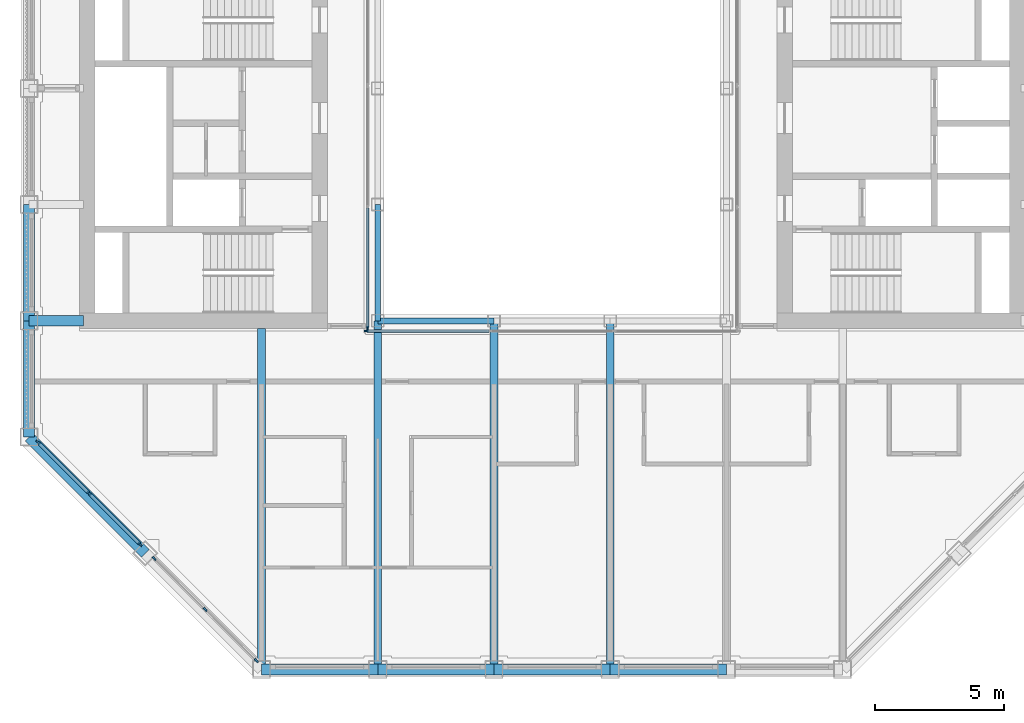
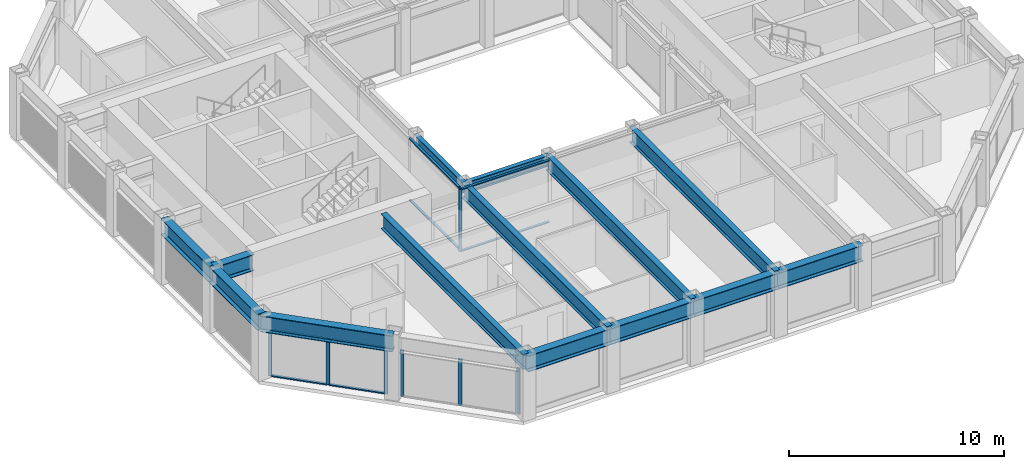
# One storey, part 2 of 18: 16 members, 14 beams, 4 elements without a shape of their own.
"""IFC4 building model written with IfcOpenShell, lengths in metres."""

from ifc_helpers import new_model, si_unit, direction, frame, origin, origin_2d, place, context, subcontext, project, spatial, rectangle, i_section, extrude, material, material_profile, profile_set, type_object, element, aggregate, save


model = new_model("IFC4")

# Units and contexts
model_context = context("Model", 3, precision=1e-05, world=origin(), true_north=direction((0.0, 1.0)))
body_context = subcontext(model_context, "Body", "Model", "MODEL_VIEW")
ifc_project = project(units=[si_unit("LENGTHUNIT", "METRE"), si_unit("AREAUNIT", "SQUARE_METRE"), si_unit("VOLUMEUNIT", "CUBIC_METRE"), si_unit("PLANEANGLEUNIT", "RADIAN"), si_unit("MASSUNIT", "GRAM", prefix="KILO")], contexts=[model_context])

# Site, building, storey
site_placement = place(None, origin())
site = spatial("IfcSite", under=ifc_project, at=site_placement, CompositionType="ELEMENT")
building_placement = place(site_placement, origin())
building = spatial("IfcBuilding", under=site, at=building_placement, Name="Msasa Ring Tower", CompositionType="ELEMENT")
storey_placement = place(building_placement, frame((0.0, 0.0, 223.300048828125)))
storey = spatial("IfcBuildingStorey", under=building, at=storey_placement, Name="L58", CompositionType="ELEMENT", Elevation=223.300048828125)

# Curtain wall, members
ifc_material_1 = material(Name="Aluminium curtain wall with clear glass", Category="aluminium")
curtain_wall_type_1 = type_object("IfcCurtainWallType", Name="CW-C CHAMFER CORNER CURTAIN WALL", PredefinedType="NOTDEFINED", material=ifc_material_1)
curtain_wall_1_placement = place(storey_placement, origin())
curtain_wall_1 = element("IfcCurtainWall", 1, at=curtain_wall_1_placement, inside=storey, type_object=curtain_wall_type_1, Name="Chamfer corner curtain wall SW L58", PredefinedType="NOTDEFINED")
ifc_material_2 = material(Name="Aluminium mullion", Category="aluminium")
ifc_material_profile_1 = material_profile(ifc_material_2, rectangle(XDim=0.06494140625, YDim=0.179931640625, at=origin_2d()), Name="AL 65x180")
ifc_profile_set_1 = profile_set([ifc_material_profile_1], Name="Aluminium mullion")
member_type_1 = type_object("IfcMemberType", Name="CW-C MULLION 65x180", PredefinedType="MULLION", material=ifc_profile_set_1)
member_1_placement = place(storey_placement, frame((-19.9052734375, -11.453369140625, 0.0), z_axis=(0.0, 0.0, 1.0), x_axis=(0.707106781187, 0.707106781187, 0.0)))
member_1 = element("IfcMember", 2, at=member_1_placement, type_object=member_type_1, Name="CW-C mullion 1", PredefinedType="MULLION", context=body_context, shape_type="SweptSolid", body=[
    extrude(rectangle(XDim=0.06494140625, YDim=0.179931640625, at=origin_2d()), origin(), (0.0, 0.0, 1.0), 2.62890625),
])
member_2_placement = place(storey_placement, frame((-17.92919921875, -13.42919921875, 0.0), z_axis=(0.0, 0.0, 1.0), x_axis=(0.707106781187, 0.707106781187, 0.0)))
member_2 = element("IfcMember", 3, at=member_2_placement, type_object=member_type_1, Name="CW-C mullion 2", PredefinedType="MULLION", context=body_context, shape_type="SweptSolid", body=[
    extrude(rectangle(XDim=0.06494140625, YDim=0.179931640625, at=origin_2d()), origin(), (0.0, 0.0, 1.0), 2.62890625),
])
member_3_placement = place(storey_placement, frame((-15.953369140625, -15.4052734375, 0.0), z_axis=(0.0, 0.0, 1.0), x_axis=(0.707106781187, 0.707106781187, 0.0)))
member_3 = element("IfcMember", 4, at=member_3_placement, type_object=member_type_1, Name="CW-C mullion 3", PredefinedType="MULLION", context=body_context, shape_type="SweptSolid", body=[
    extrude(rectangle(XDim=0.06494140625, YDim=0.179931640625, at=origin_2d()), origin(), (0.0, 0.0, 1.0), 2.62890625),
])

curtain_wall_2_placement = place(storey_placement, origin())
curtain_wall_2 = element("IfcCurtainWall", 5, at=curtain_wall_2_placement, inside=storey, type_object=curtain_wall_type_1, Name="Chamfer corner curtain wall SW L58", PredefinedType="NOTDEFINED")
member_4_placement = place(storey_placement, frame((-15.4052734375, -15.953369140625, 0.0), z_axis=(0.0, 0.0, 1.0), x_axis=(0.707106781187, 0.707106781187, 0.0)))
member_4 = element("IfcMember", 6, at=member_4_placement, type_object=member_type_1, Name="CW-C mullion 1", PredefinedType="MULLION", context=body_context, shape_type="SweptSolid", body=[
    extrude(rectangle(XDim=0.06494140625, YDim=0.179931640625, at=origin_2d()), origin(), (0.0, 0.0, 1.0), 2.62890625),
])
member_5_placement = place(storey_placement, frame((-13.42919921875, -17.92919921875, 0.0), z_axis=(0.0, 0.0, 1.0), x_axis=(0.707106781187, 0.707106781187, 0.0)))
member_5 = element("IfcMember", 7, at=member_5_placement, type_object=member_type_1, Name="CW-C mullion 2", PredefinedType="MULLION", context=body_context, shape_type="SweptSolid", body=[
    extrude(rectangle(XDim=0.06494140625, YDim=0.179931640625, at=origin_2d()), origin(), (0.0, 0.0, 1.0), 2.62890625),
])
member_6_placement = place(storey_placement, frame((-11.453369140625, -19.9052734375, 0.0), z_axis=(0.0, 0.0, 1.0), x_axis=(0.707106781187, 0.707106781187, 0.0)))
member_6 = element("IfcMember", 8, at=member_6_placement, type_object=member_type_1, Name="CW-C mullion 3", PredefinedType="MULLION", context=body_context, shape_type="SweptSolid", body=[
    extrude(rectangle(XDim=0.06494140625, YDim=0.179931640625, at=origin_2d()), origin(), (0.0, 0.0, 1.0), 2.62890625),
])
aggregate(curtain_wall_2, [member_4, member_5, member_6])

# Member
ifc_material_3 = material(Name="Aluminium transom", Category="aluminium")
ifc_material_profile_2 = material_profile(ifc_material_3, rectangle(XDim=0.139892578125, YDim=0.06494140625, at=origin_2d()), Name="AL 65x140")
ifc_profile_set_2 = profile_set([ifc_material_profile_2], Name="Aluminium transom")
member_type_2 = type_object("IfcMemberType", Name="CW-C TRANSOM 65x140", PredefinedType="USERDEFINED", material=ifc_profile_set_2)
member_7_placement = place(storey_placement, frame((-19.88232421875, -11.476318359375, 0.032470703125), z_axis=(0.707106781187, -0.707106781187, 0.0), x_axis=(0.707106781187, 0.707106781187, 0.0)))
member_7 = element("IfcMember", 9, at=member_7_placement, type_object=member_type_2, Name="CW-C transom 1.1", ObjectType="TRANSOM", PredefinedType="USERDEFINED", context=body_context, shape_type="SweptSolid", body=[
    extrude(rectangle(XDim=0.139892578125, YDim=0.06494140625, at=origin_2d()), origin(), (0.0, 0.0, 1.0), 2.729248046875),
])

member_8_placement = place(storey_placement, frame((-19.88232421875, -11.476318359375, 2.596435546875), z_axis=(0.707106781187, -0.707106781187, 0.0), x_axis=(0.707106781187, 0.707106781187, 0.0)))
member_8 = element("IfcMember", 10, at=member_8_placement, type_object=member_type_2, Name="CW-C transom 1.2", ObjectType="TRANSOM", PredefinedType="USERDEFINED", context=body_context, shape_type="SweptSolid", body=[
    extrude(rectangle(XDim=0.139892578125, YDim=0.06494140625, at=origin_2d()), origin(), (0.0, 0.0, 1.0), 2.729248046875),
])

member_9_placement = place(storey_placement, frame((-17.90625, -13.452392578125, 0.032470703125), z_axis=(0.707106781187, -0.707106781187, 0.0), x_axis=(0.707106781187, 0.707106781187, 0.0)))
member_9 = element("IfcMember", 11, at=member_9_placement, type_object=member_type_2, Name="CW-C transom 2.1", ObjectType="TRANSOM", PredefinedType="USERDEFINED", context=body_context, shape_type="SweptSolid", body=[
    extrude(rectangle(XDim=0.139892578125, YDim=0.06494140625, at=origin_2d()), origin(), (0.0, 0.0, 1.0), 2.729248046875),
])

member_10_placement = place(storey_placement, frame((-17.90625, -13.452392578125, 2.596435546875), z_axis=(0.707106781187, -0.707106781187, 0.0), x_axis=(0.707106781187, 0.707106781187, 0.0)))
member_10 = element("IfcMember", 12, at=member_10_placement, type_object=member_type_2, Name="CW-C transom 2.2", ObjectType="TRANSOM", PredefinedType="USERDEFINED", context=body_context, shape_type="SweptSolid", body=[
    extrude(rectangle(XDim=0.139892578125, YDim=0.06494140625, at=origin_2d()), origin(), (0.0, 0.0, 1.0), 2.729248046875),
])

aggregate(curtain_wall_1, [member_1, member_2, member_3, member_7, member_8, member_9, member_10])

# Curtain wall, member
ifc_material_4 = material(Name="Aluminium curtain wall with clear glass", Category="aluminium")
curtain_wall_type_2 = type_object("IfcCurtainWallType", Name="CW-W LIGHT WELL CURTAIN WALL", PredefinedType="NOTDEFINED", material=ifc_material_4)
curtain_wall_3_placement = place(storey_placement, origin())
curtain_wall_3 = element("IfcCurtainWall", 13, at=curtain_wall_3_placement, inside=storey, type_object=curtain_wall_type_2, Name="Light well curtain wall S L58", PredefinedType="NOTDEFINED")
ifc_material_5 = material(Name="Aluminium mullion", Category="aluminium")
ifc_material_profile_3 = material_profile(ifc_material_5, rectangle(XDim=0.06005859375, YDim=0.159912109375, at=origin_2d()), Name="AL 60x160")
ifc_profile_set_3 = profile_set([ifc_material_profile_3], Name="Aluminium mullion")
member_type_3 = type_object("IfcMemberType", Name="CW-W MULLION 60x160", PredefinedType="MULLION", material=ifc_profile_set_3)
member_11_placement = place(storey_placement, frame((-7.199951171875, -7.14990234375, 0.0), z_axis=(0.0, 0.0, 1.0), x_axis=(0.0, 1.0, 0.0)))
member_11 = element("IfcMember", 14, at=member_11_placement, type_object=member_type_3, Name="CW-W mullion 1", PredefinedType="MULLION", context=body_context, shape_type="SweptSolid", body=[
    extrude(rectangle(XDim=0.06005859375, YDim=0.159912109375, at=origin_2d()), origin(), (0.0, 0.0, 1.0), 3.550048828125),
])

curtain_wall_4_placement = place(storey_placement, origin())
curtain_wall_4 = element("IfcCurtainWall", 15, at=curtain_wall_4_placement, inside=storey, type_object=curtain_wall_type_2, Name="Light well curtain wall W L58", PredefinedType="NOTDEFINED")
member_12_placement = place(storey_placement, frame((-7.14990234375, -7.0400390625, 0.0), z_axis=(0.0, 0.0, 1.0), x_axis=(-1.0, 0.0, 0.0)))
member_12 = element("IfcMember", 16, at=member_12_placement, type_object=member_type_3, Name="CW-W mullion 1", PredefinedType="MULLION", context=body_context, shape_type="SweptSolid", body=[
    extrude(rectangle(XDim=0.06005859375, YDim=0.159912109375, at=origin_2d()), origin(), (0.0, 0.0, 1.0), 3.550048828125),
])

# Member
ifc_material_6 = material(Name="Aluminium transom", Category="aluminium")
ifc_material_profile_4 = material_profile(ifc_material_6, rectangle(XDim=0.1201171875, YDim=0.06005859375, at=origin_2d()), Name="AL 60x120")
ifc_profile_set_4 = profile_set([ifc_material_profile_4], Name="Aluminium transom")
member_type_4 = type_object("IfcMemberType", Name="CW-W TRANSOM 60x120", PredefinedType="USERDEFINED", material=ifc_profile_set_4)
member_13_placement = place(storey_placement, frame((-7.169921875, -7.14990234375, 0.030029296875), z_axis=(1.0, 0.0, 0.0), x_axis=(0.0, 1.0, 0.0)))
member_13 = element("IfcMember", 17, at=member_13_placement, type_object=member_type_4, Name="CW-W transom 1.1", ObjectType="TRANSOM", PredefinedType="USERDEFINED", context=body_context, shape_type="SweptSolid", body=[
    extrude(rectangle(XDim=0.1201171875, YDim=0.06005859375, at=origin_2d()), origin(), (0.0, 0.0, 1.0), 4.72998046875),
])

member_14_placement = place(storey_placement, frame((-7.169921875, -7.14990234375, 3.52001953125), z_axis=(1.0, 0.0, 0.0), x_axis=(0.0, 1.0, 0.0)))
member_14 = element("IfcMember", 18, at=member_14_placement, type_object=member_type_4, Name="CW-W transom 1.2", ObjectType="TRANSOM", PredefinedType="USERDEFINED", context=body_context, shape_type="SweptSolid", body=[
    extrude(rectangle(XDim=0.1201171875, YDim=0.06005859375, at=origin_2d()), origin(), (0.0, 0.0, 1.0), 4.72998046875),
])

aggregate(curtain_wall_3, [member_11, member_13, member_14])

member_15_placement = place(storey_placement, frame((-7.14990234375, -7.010009765625, 0.030029296875), z_axis=(0.0, 1.0, 0.0), x_axis=(-1.0, 0.0, 0.0)))
member_15 = element("IfcMember", 19, at=member_15_placement, type_object=member_type_4, Name="CW-W transom 1.1", ObjectType="TRANSOM", PredefinedType="USERDEFINED", context=body_context, shape_type="SweptSolid", body=[
    extrude(rectangle(XDim=0.1201171875, YDim=0.06005859375, at=origin_2d()), origin(), (0.0, 0.0, 1.0), 4.623291015625),
])

member_16_placement = place(storey_placement, frame((-7.14990234375, -7.010009765625, 3.52001953125), z_axis=(0.0, 1.0, 0.0), x_axis=(-1.0, 0.0, 0.0)))
member_16 = element("IfcMember", 20, at=member_16_placement, type_object=member_type_4, Name="CW-W transom 1.2", ObjectType="TRANSOM", PredefinedType="USERDEFINED", context=body_context, shape_type="SweptSolid", body=[
    extrude(rectangle(XDim=0.1201171875, YDim=0.06005859375, at=origin_2d()), origin(), (0.0, 0.0, 1.0), 4.623291015625),
])

aggregate(curtain_wall_4, [member_12, member_15, member_16])

# Beams
ifc_material_7 = material(Name="Steel S355", Category="steel")
ifc_material_profile_5 = material_profile(ifc_material_7, i_section(OverallWidth=0.293701171875, OverallDepth=0.850830078125, WebThickness=0.01611328125, FlangeThickness=0.02685546875, FilletRadius=0.017822265625, at=origin_2d()), Name="UB 838x292x226")
ifc_profile_set_5 = profile_set([ifc_material_profile_5], Name="Steel S355")
beam_type_1 = type_object("IfcBeamType", Name="FB5 UB 838x292x226", PredefinedType="BEAM", material=ifc_profile_set_5)
beam_1_placement = place(storey_placement, frame((-11.25, -20.25, 3.12451171875), z_axis=(0.0, 1.0, 0.0), x_axis=(-1.0, 0.0, 0.0)))
element("IfcBeam", 21, at=beam_1_placement, inside=storey, type_object=beam_type_1, Name="Floor beam S-11.25 under L59", PredefinedType="BEAM", context=body_context, shape_type="SweptSolid", body=[
    extrude(i_section(OverallWidth=0.293701171875, OverallDepth=0.850830078125, WebThickness=0.01611328125, FlangeThickness=0.02685546875, FilletRadius=0.017822265625, at=origin_2d()), origin(), (0.0, 0.0, 1.0), 13.199951171875),
])
for number, where, z_axis, x_axis, name in (
    (22, (-6.75, -20.25, 3.12451171875), (0.0, 1.0, 0.0), (-1.0, 0.0, 0.0), "Floor beam S-6.75 under L59"),
    (23, (-2.25, -20.25, 3.12451171875), (0.0, 1.0, 0.0), (-1.0, 0.0, 0.0), "Floor beam S-2.25 under L59"),
    (24, (2.25, -20.25, 3.12451171875), (0.0, 1.0, 0.0), (-1.0, 0.0, 0.0), "Floor beam S+2.25 under L59"),
):
    element("IfcBeam", number, at=place(storey_placement, frame(where, z_axis=z_axis, x_axis=x_axis)), inside=storey, type_object=beam_type_1, Name=name, PredefinedType="BEAM", context=body_context, shape_type="SweptSolid", body=[
        extrude(i_section(OverallWidth=0.293701171875, OverallDepth=0.850830078125, WebThickness=0.01611328125, FlangeThickness=0.02685546875, FilletRadius=0.017822265625, at=origin_2d()), origin(), (0.0, 0.0, 1.0), 13.5),
    ])
ifc_material_8 = material(Name="Steel S355", Category="steel")
ifc_material_profile_6 = material_profile(ifc_material_8, i_section(OverallWidth=0.42041015625, OverallDepth=0.9208984375, WebThickness=0.021484375, FlangeThickness=0.03662109375, FilletRadius=0.024169921875, at=origin_2d()), Name="UB 914x419x388")
ifc_profile_set_6 = profile_set([ifc_material_profile_6], Name="Steel S355")
beam_type_2 = type_object("IfcBeamType", Name="GB1 UB 914x419x388", PredefinedType="BEAM", material=ifc_profile_set_6)
beam_2_placement = place(storey_placement, frame((-18.14990234375, -6.75, 3.08935546875), z_axis=(-1.0, 0.0, 0.0), x_axis=(0.0, -1.0, 0.0)))
element("IfcBeam", 25, at=beam_2_placement, inside=storey, type_object=beam_type_2, Name="Girder W -6.75 under L59", PredefinedType="BEAM", context=body_context, shape_type="SweptSolid", body=[
    extrude(i_section(OverallWidth=0.42041015625, OverallDepth=0.9208984375, WebThickness=0.021484375, FlangeThickness=0.03662109375, FilletRadius=0.024169921875, at=origin_2d()), origin(), (0.0, 0.0, 1.0), 2.10009765625),
])
ifc_material_9 = material(Name="Steel S355", Category="steel")
ifc_material_profile_7 = material_profile(ifc_material_9, i_section(OverallWidth=0.230224609375, OverallDepth=0.6171875, WebThickness=0.01318359375, FlangeThickness=0.022216796875, FilletRadius=0.0126953125, at=origin_2d()), Name="UB 610x229x140")
ifc_profile_set_7 = profile_set([ifc_material_profile_7], Name="Steel S355")
beam_type_3 = type_object("IfcBeamType", Name="RB1 UB 610x229x140", PredefinedType="BEAM", material=ifc_profile_set_7)
for number, where, z_axis, x_axis, name in (
    (26, (-6.75, -2.25, 3.241455078125), (0.0, -1.0, 0.0), (1.0, 0.0, 0.0), "Inner ring beam IR-6.75-2.25 under L59"),
    (27, (-6.75, -6.75, 3.241455078125), (1.0, 0.0, 0.0), (0.0, 1.0, 0.0), "Inner ring beam IR-6.75-6.75 under L59"),
):
    element("IfcBeam", number, at=place(storey_placement, frame(where, z_axis=z_axis, x_axis=x_axis)), inside=storey, type_object=beam_type_3, Name=name, PredefinedType="BEAM", context=body_context, shape_type="SweptSolid", body=[
        extrude(i_section(OverallWidth=0.230224609375, OverallDepth=0.6171875, WebThickness=0.01318359375, FlangeThickness=0.022216796875, FilletRadius=0.0126953125, at=origin_2d()), origin(), (0.0, 0.0, 1.0), 4.5),
    ])
ifc_material_10 = material(Name="Steel S355", Category="steel")
ifc_material_profile_8 = material_profile(ifc_material_10, i_section(OverallWidth=0.42041015625, OverallDepth=0.9208984375, WebThickness=0.021484375, FlangeThickness=0.03662109375, FilletRadius=0.024169921875, at=origin_2d()), Name="UB 914x419x388")
ifc_profile_set_8 = profile_set([ifc_material_profile_8], Name="Steel S355")
beam_type_4 = type_object("IfcBeamType", Name="SB1 UB 914x419x388", PredefinedType="SPANDREL", material=ifc_profile_set_8)
for number, where, z_axis, x_axis, name in (
    (28, (-20.25, -2.25, 3.08935546875), (0.0, -1.0, 0.0), (1.0, 0.0, 0.0), "Spandrel W-2.25 to W-6.75 under L59"),
    (29, (-20.25, -6.75, 3.08935546875), (0.0, -1.0, 0.0), (1.0, 0.0, 0.0), "Spandrel W-6.75 to W-11.25 under L59"),
):
    element("IfcBeam", number, at=place(storey_placement, frame(where, z_axis=z_axis, x_axis=x_axis)), inside=storey, type_object=beam_type_4, Name=name, PredefinedType="SPANDREL", context=body_context, shape_type="SweptSolid", body=[
        extrude(i_section(OverallWidth=0.42041015625, OverallDepth=0.9208984375, WebThickness=0.021484375, FlangeThickness=0.03662109375, FilletRadius=0.024169921875, at=origin_2d()), origin(), (0.0, 0.0, 1.0), 4.5),
    ])
beam_3_placement = place(storey_placement, frame((-20.25, -11.25, 3.08935546875), z_axis=(0.707106781187, -0.707106781187, 0.0), x_axis=(0.707106781187, 0.707106781187, 0.0)))
element("IfcBeam", 30, at=beam_3_placement, inside=storey, type_object=beam_type_4, Name="Spandrel W-11.25 to SW under L59", PredefinedType="SPANDREL", context=body_context, shape_type="SweptSolid", body=[
    extrude(i_section(OverallWidth=0.42041015625, OverallDepth=0.9208984375, WebThickness=0.021484375, FlangeThickness=0.03662109375, FilletRadius=0.024169921875, at=origin_2d()), origin(), (0.0, 0.0, 1.0), 6.364013671875),
])
for number, where, z_axis, x_axis, name in (
    (31, (-11.25, -20.25, 3.08935546875), (1.0, 0.0, 0.0), (0.0, 1.0, 0.0), "Spandrel S-11.25 to S-6.75 under L59"),
    (32, (-6.75, -20.25, 3.08935546875), (1.0, 0.0, 0.0), (0.0, 1.0, 0.0), "Spandrel S-6.75 to S-2.25 under L59"),
    (33, (-2.25, -20.25, 3.08935546875), (1.0, 0.0, 0.0), (0.0, 1.0, 0.0), "Spandrel S-2.25 to S+2.25 under L59"),
    (34, (2.25, -20.25, 3.08935546875), (1.0, 0.0, 0.0), (0.0, 1.0, 0.0), "Spandrel S+2.25 to S+6.75 under L59"),
):
    element("IfcBeam", number, at=place(storey_placement, frame(where, z_axis=z_axis, x_axis=x_axis)), inside=storey, type_object=beam_type_4, Name=name, PredefinedType="SPANDREL", context=body_context, shape_type="SweptSolid", body=[
        extrude(i_section(OverallWidth=0.42041015625, OverallDepth=0.9208984375, WebThickness=0.021484375, FlangeThickness=0.03662109375, FilletRadius=0.024169921875, at=origin_2d()), origin(), (0.0, 0.0, 1.0), 4.5),
    ])

save(model, "model.ifc")
